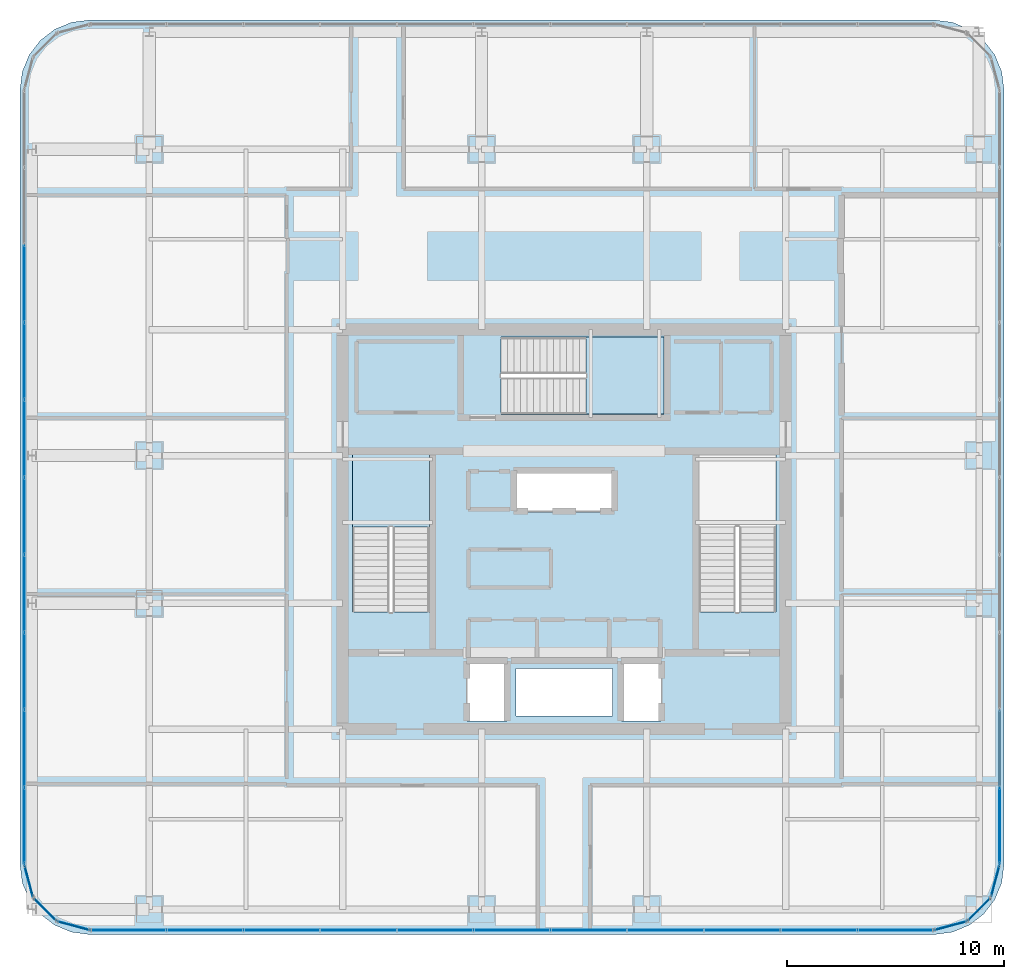
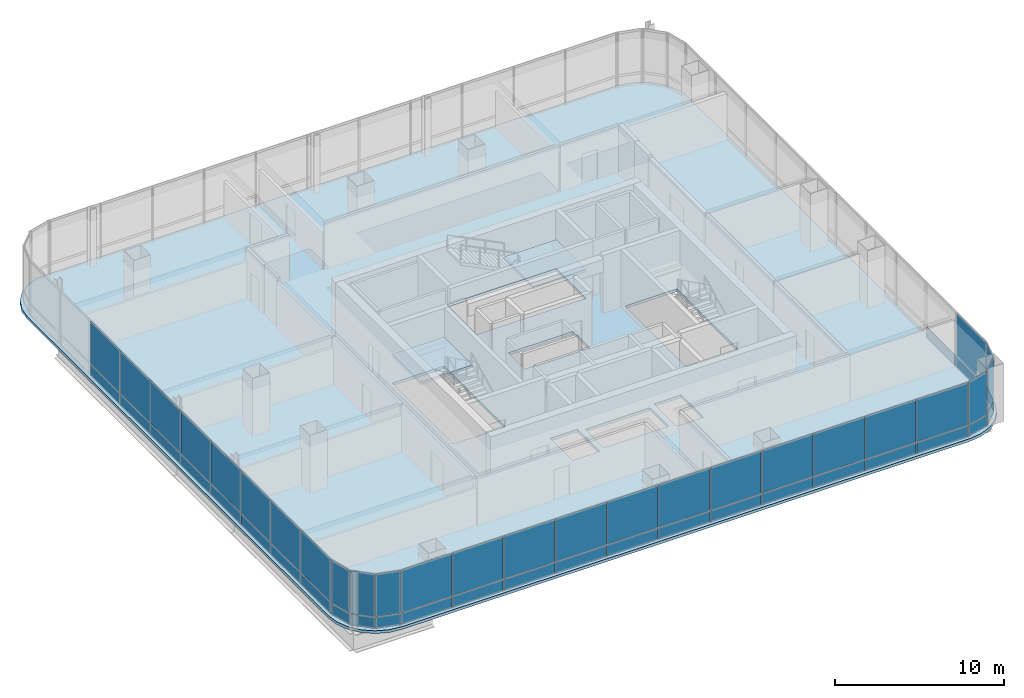
# One storey, part 32 of 41: 53 plates, 3 slabs, 11 elements without a shape of their own.
"""IFC4 building model written with IfcOpenShell, lengths in metres."""

from ifc_helpers import new_model, si_unit, direction, frame, origin, origin_2d, place, context, subcontext, project, spatial, polyline, rectangle, outline, extrude, material, layer, layer_set, type_object, element, aggregate, save


model = new_model("IFC4")

# Units and contexts
model_context = context("Model", 3, precision=1e-05, world=origin(), true_north=direction((0.0, 1.0)))
body_context = subcontext(model_context, "Body", "Model", "MODEL_VIEW")
ifc_project = project(units=[si_unit("LENGTHUNIT", "METRE"), si_unit("AREAUNIT", "SQUARE_METRE"), si_unit("VOLUMEUNIT", "CUBIC_METRE"), si_unit("PLANEANGLEUNIT", "RADIAN"), si_unit("MASSUNIT", "GRAM", prefix="KILO")], contexts=[model_context])

# Site, building, storey
site_placement = place(None, origin())
site = spatial("IfcSite", under=ifc_project, at=site_placement, CompositionType="ELEMENT")
building_placement = place(site_placement, origin())
building = spatial("IfcBuilding", under=site, at=building_placement, Name="Punatoya Terracotta Tower", CompositionType="ELEMENT")
storey_placement = place(building_placement, frame((0.0, 0.0, 292.199951171875)))
storey = spatial("IfcBuildingStorey", under=building, at=storey_placement, Name="L69", CompositionType="ELEMENT", Elevation=292.199951171875)

# Curtain wall, plates
ifc_material_1 = material(Name="Aluminium 6063-T6 + Double Low-E Glass", Category="aluminium")
curtain_wall_type = type_object("IfcCurtainWallType", Name="CW-M3", PredefinedType="NOTDEFINED", material=ifc_material_1)
curtain_wall_1_placement = place(storey_placement, origin())
curtain_wall_1 = element("IfcCurtainWall", 1, at=curtain_wall_1_placement, inside=storey, type_object=curtain_wall_type, Name="L69 Curtain Wall CW-L69-S01-1", PredefinedType="NOTDEFINED")
ifc_material_2 = material(Name="Double Low-E Acoustic Vision Glass", Category="glass")
ifc_layer_1 = layer(ifc_material_2, 0.031982421875)
ifc_layer_set_1 = layer_set([ifc_layer_1], Name="Double Low-E Acoustic Vision Glass")
plate_type_1 = type_object("IfcPlateType", Name="PLT-GLZ-32", PredefinedType="CURTAIN_PANEL", material=ifc_layer_set_1)
plate_1_placement = place(storey_placement, frame((-20.06982421875, -18.449951171875, 0.89013671875), z_axis=(0.0, 0.0, 1.0), x_axis=(1.0, 0.0, 0.0)))
plate_1 = element("IfcPlate", 2, at=plate_1_placement, type_object=plate_type_1, Name="CW-L69-S01-1 Vision Glass Panel 1", PredefinedType="CURTAIN_PANEL", context=body_context, shape_type="SweptSolid", body=[
    extrude(rectangle(XDim=3.448974609375, YDim=0.031982421875, at=origin_2d()), origin(), (0.0, 0.0, 1.0), 3.070068359375),
])
plate_2_placement = place(storey_placement, frame((-16.535888671875, -18.449951171875, 0.89013671875), z_axis=(0.0, 0.0, 1.0), x_axis=(1.0, 0.0, 0.0)))
plate_2 = element("IfcPlate", 3, at=plate_2_placement, type_object=plate_type_1, Name="CW-L69-S01-1 Vision Glass Panel 2", PredefinedType="CURTAIN_PANEL", context=body_context, shape_type="SweptSolid", body=[
    extrude(rectangle(XDim=3.448974609375, YDim=0.031982421875, at=origin_2d()), origin(), (0.0, 0.0, 1.0), 3.070068359375),
])
plate_3_placement = place(storey_placement, frame((-13.001953125, -18.449951171875, 0.89013671875), z_axis=(0.0, 0.0, 1.0), x_axis=(1.0, 0.0, 0.0)))
plate_3 = element("IfcPlate", 4, at=plate_3_placement, type_object=plate_type_1, Name="CW-L69-S01-1 Vision Glass Panel 3", PredefinedType="CURTAIN_PANEL", context=body_context, shape_type="SweptSolid", body=[
    extrude(rectangle(XDim=3.448974609375, YDim=0.031982421875, at=origin_2d()), origin(), (0.0, 0.0, 1.0), 3.070068359375),
])
plate_4_placement = place(storey_placement, frame((-9.468017578125, -18.449951171875, 0.89013671875), z_axis=(0.0, 0.0, 1.0), x_axis=(1.0, 0.0, 0.0)))
plate_4 = element("IfcPlate", 5, at=plate_4_placement, type_object=plate_type_1, Name="CW-L69-S01-1 Vision Glass Panel 4", PredefinedType="CURTAIN_PANEL", context=body_context, shape_type="SweptSolid", body=[
    extrude(rectangle(XDim=3.448974609375, YDim=0.031982421875, at=origin_2d()), origin(), (0.0, 0.0, 1.0), 3.070068359375),
])
plate_5_placement = place(storey_placement, frame((-5.93408203125, -18.449951171875, 0.89013671875), z_axis=(0.0, 0.0, 1.0), x_axis=(1.0, 0.0, 0.0)))
plate_5 = element("IfcPlate", 6, at=plate_5_placement, type_object=plate_type_1, Name="CW-L69-S01-1 Vision Glass Panel 5", PredefinedType="CURTAIN_PANEL", context=body_context, shape_type="SweptSolid", body=[
    extrude(rectangle(XDim=3.448974609375, YDim=0.031982421875, at=origin_2d()), origin(), (0.0, 0.0, 1.0), 3.070068359375),
])
plate_6_placement = place(storey_placement, frame((-2.39990234375, -18.449951171875, 0.89013671875), z_axis=(0.0, 0.0, 1.0), x_axis=(1.0, 0.0, 0.0)))
plate_6 = element("IfcPlate", 7, at=plate_6_placement, type_object=plate_type_1, Name="CW-L69-S01-1 Vision Glass Panel 6", PredefinedType="CURTAIN_PANEL", context=body_context, shape_type="SweptSolid", body=[
    extrude(rectangle(XDim=3.448974609375, YDim=0.031982421875, at=origin_2d()), origin(), (0.0, 0.0, 1.0), 3.070068359375),
])
plate_7_placement = place(storey_placement, frame((1.134033203125, -18.449951171875, 0.89013671875), z_axis=(0.0, 0.0, 1.0), x_axis=(1.0, 0.0, 0.0)))
plate_7 = element("IfcPlate", 8, at=plate_7_placement, type_object=plate_type_1, Name="CW-L69-S01-1 Vision Glass Panel 7", PredefinedType="CURTAIN_PANEL", context=body_context, shape_type="SweptSolid", body=[
    extrude(rectangle(XDim=3.448974609375, YDim=0.031982421875, at=origin_2d()), origin(), (0.0, 0.0, 1.0), 3.070068359375),
])
plate_8_placement = place(storey_placement, frame((4.66796875, -18.449951171875, 0.89013671875), z_axis=(0.0, 0.0, 1.0), x_axis=(1.0, 0.0, 0.0)))
plate_8 = element("IfcPlate", 9, at=plate_8_placement, type_object=plate_type_1, Name="CW-L69-S01-1 Vision Glass Panel 8", PredefinedType="CURTAIN_PANEL", context=body_context, shape_type="SweptSolid", body=[
    extrude(rectangle(XDim=3.448974609375, YDim=0.031982421875, at=origin_2d()), origin(), (0.0, 0.0, 1.0), 3.070068359375),
])
plate_9_placement = place(storey_placement, frame((8.201904296875, -18.449951171875, 0.89013671875), z_axis=(0.0, 0.0, 1.0), x_axis=(1.0, 0.0, 0.0)))
plate_9 = element("IfcPlate", 10, at=plate_9_placement, type_object=plate_type_1, Name="CW-L69-S01-1 Vision Glass Panel 9", PredefinedType="CURTAIN_PANEL", context=body_context, shape_type="SweptSolid", body=[
    extrude(rectangle(XDim=3.448974609375, YDim=0.031982421875, at=origin_2d()), origin(), (0.0, 0.0, 1.0), 3.070068359375),
])
plate_10_placement = place(storey_placement, frame((11.73583984375, -18.449951171875, 0.89013671875), z_axis=(0.0, 0.0, 1.0), x_axis=(1.0, 0.0, 0.0)))
plate_10 = element("IfcPlate", 11, at=plate_10_placement, type_object=plate_type_1, Name="CW-L69-S01-1 Vision Glass Panel 10", PredefinedType="CURTAIN_PANEL", context=body_context, shape_type="SweptSolid", body=[
    extrude(rectangle(XDim=3.448974609375, YDim=0.031982421875, at=origin_2d()), origin(), (0.0, 0.0, 1.0), 3.070068359375),
])
plate_11_placement = place(storey_placement, frame((15.27001953125, -18.449951171875, 0.89013671875), z_axis=(0.0, 0.0, 1.0), x_axis=(1.0, 0.0, 0.0)))
plate_11 = element("IfcPlate", 12, at=plate_11_placement, type_object=plate_type_1, Name="CW-L69-S01-1 Vision Glass Panel 11", PredefinedType="CURTAIN_PANEL", context=body_context, shape_type="SweptSolid", body=[
    extrude(rectangle(XDim=3.448974609375, YDim=0.031982421875, at=origin_2d()), origin(), (0.0, 0.0, 1.0), 3.070068359375),
])

# Curtain wall, plate
curtain_wall_2_placement = place(storey_placement, origin())
curtain_wall_2 = element("IfcCurtainWall", 13, at=curtain_wall_2_placement, inside=storey, type_object=curtain_wall_type, Name="L69 Curtain Wall CW-L69-CRN02", PredefinedType="NOTDEFINED")
plate_12_placement = place(storey_placement, frame((17.79296875, -18.248291015625, 0.89013671875), z_axis=(0.0, 0.0, 1.0), x_axis=(0.966213877436, 0.257741620719, 0.0)))
plate_12 = element("IfcPlate", 14, at=plate_12_placement, type_object=plate_type_1, Name="CW-L69-CRN02 Vision Glass Panel 1", PredefinedType="CURTAIN_PANEL", context=body_context, shape_type="SweptSolid", body=[
    extrude(rectangle(XDim=1.47998046875, YDim=0.031982421875, at=origin_2d()), origin(), (0.0, 0.0, 1.0), 3.070068359375),
])

curtain_wall_3_placement = place(storey_placement, origin())
curtain_wall_3 = element("IfcCurtainWall", 15, at=curtain_wall_3_placement, inside=storey, type_object=curtain_wall_type, Name="L69 Curtain Wall CW-L69-CRN03", PredefinedType="NOTDEFINED")
plate_13_placement = place(storey_placement, frame((19.097900390625, -17.497802734375, 0.89013671875), z_axis=(0.0, 0.0, 1.0), x_axis=(0.707106781187, 0.707106781187, 0.0)))
plate_13 = element("IfcPlate", 16, at=plate_13_placement, type_object=plate_type_1, Name="CW-L69-CRN03 Vision Glass Panel 1", PredefinedType="CURTAIN_PANEL", context=body_context, shape_type="SweptSolid", body=[
    extrude(rectangle(XDim=1.467041015625, YDim=0.031982421875, at=origin_2d()), origin(), (0.0, 0.0, 1.0), 3.070068359375),
])

curtain_wall_4_placement = place(storey_placement, origin())
curtain_wall_4 = element("IfcCurtainWall", 17, at=curtain_wall_4_placement, inside=storey, type_object=curtain_wall_type, Name="L69 Curtain Wall CW-L69-CRN04", PredefinedType="NOTDEFINED")
plate_14_placement = place(storey_placement, frame((19.848388671875, -16.193115234375, 0.89013671875), z_axis=(0.0, 0.0, 1.0), x_axis=(0.257741620719, 0.966213877436, 0.0)))
plate_14 = element("IfcPlate", 18, at=plate_14_placement, type_object=plate_type_1, Name="CW-L69-CRN04 Vision Glass Panel 1", PredefinedType="CURTAIN_PANEL", context=body_context, shape_type="SweptSolid", body=[
    extrude(rectangle(XDim=1.47998046875, YDim=0.031982421875, at=origin_2d()), origin(), (0.0, 0.0, 1.0), 3.070068359375),
])

curtain_wall_5_placement = place(storey_placement, origin())
curtain_wall_5 = element("IfcCurtainWall", 19, at=curtain_wall_5_placement, inside=storey, type_object=curtain_wall_type, Name="L69 Curtain Wall CW-L69-E05-1", PredefinedType="NOTDEFINED")
plate_15_placement = place(storey_placement, frame((20.050048828125, -13.6533203125, 0.89013671875), z_axis=(0.0, 0.0, 1.0), x_axis=(0.0, 1.0, 0.0)))
plate_15 = element("IfcPlate", 20, at=plate_15_placement, type_object=plate_type_1, Name="CW-L69-E05-1 Vision Glass Panel 1", PredefinedType="CURTAIN_PANEL", context=body_context, shape_type="SweptSolid", body=[
    extrude(rectangle(XDim=3.482421875, YDim=0.031982421875, at=origin_2d()), origin(), (0.0, 0.0, 1.0), 3.070068359375),
])

# Curtain wall, plates
curtain_wall_6_placement = place(storey_placement, origin())
curtain_wall_6 = element("IfcCurtainWall", 21, at=curtain_wall_6_placement, inside=storey, type_object=curtain_wall_type, Name="L69 Curtain Wall CW-L69-W13-1", PredefinedType="NOTDEFINED")
plate_16_placement = place(storey_placement, frame((-24.85009765625, 11.318359375, 0.89013671875), z_axis=(0.0, 0.0, 1.0), x_axis=(0.0, -1.0, 0.0)))
plate_16 = element("IfcPlate", 22, at=plate_16_placement, type_object=plate_type_1, Name="CW-L69-W13-1 Vision Glass Panel 3", PredefinedType="CURTAIN_PANEL", context=body_context, shape_type="SweptSolid", body=[
    extrude(rectangle(XDim=3.482421875, YDim=0.031982421875, at=origin_2d()), origin(), (0.0, 0.0, 1.0), 3.070068359375),
])
plate_17_placement = place(storey_placement, frame((-24.85009765625, 7.751220703125, 0.89013671875), z_axis=(0.0, 0.0, 1.0), x_axis=(0.0, -1.0, 0.0)))
plate_17 = element("IfcPlate", 23, at=plate_17_placement, type_object=plate_type_1, Name="CW-L69-W13-1 Vision Glass Panel 4", PredefinedType="CURTAIN_PANEL", context=body_context, shape_type="SweptSolid", body=[
    extrude(rectangle(XDim=3.482421875, YDim=0.031982421875, at=origin_2d()), origin(), (0.0, 0.0, 1.0), 3.070068359375),
])
plate_18_placement = place(storey_placement, frame((-24.85009765625, 4.18359375, 0.89013671875), z_axis=(0.0, 0.0, 1.0), x_axis=(0.0, -1.0, 0.0)))
plate_18 = element("IfcPlate", 24, at=plate_18_placement, type_object=plate_type_1, Name="CW-L69-W13-1 Vision Glass Panel 5", PredefinedType="CURTAIN_PANEL", context=body_context, shape_type="SweptSolid", body=[
    extrude(rectangle(XDim=3.482421875, YDim=0.031982421875, at=origin_2d()), origin(), (0.0, 0.0, 1.0), 3.070068359375),
])
plate_19_placement = place(storey_placement, frame((-24.85009765625, 0.6162109375, 0.89013671875), z_axis=(0.0, 0.0, 1.0), x_axis=(0.0, -1.0, 0.0)))
plate_19 = element("IfcPlate", 25, at=plate_19_placement, type_object=plate_type_1, Name="CW-L69-W13-1 Vision Glass Panel 6", PredefinedType="CURTAIN_PANEL", context=body_context, shape_type="SweptSolid", body=[
    extrude(rectangle(XDim=3.482421875, YDim=0.031982421875, at=origin_2d()), origin(), (0.0, 0.0, 1.0), 3.070068359375),
])
plate_20_placement = place(storey_placement, frame((-24.85009765625, -2.951171875, 0.89013671875), z_axis=(0.0, 0.0, 1.0), x_axis=(0.0, -1.0, 0.0)))
plate_20 = element("IfcPlate", 26, at=plate_20_placement, type_object=plate_type_1, Name="CW-L69-W13-1 Vision Glass Panel 7", PredefinedType="CURTAIN_PANEL", context=body_context, shape_type="SweptSolid", body=[
    extrude(rectangle(XDim=3.482421875, YDim=0.031982421875, at=origin_2d()), origin(), (0.0, 0.0, 1.0), 3.070068359375),
])
plate_21_placement = place(storey_placement, frame((-24.85009765625, -6.518310546875, 0.89013671875), z_axis=(0.0, 0.0, 1.0), x_axis=(0.0, -1.0, 0.0)))
plate_21 = element("IfcPlate", 27, at=plate_21_placement, type_object=plate_type_1, Name="CW-L69-W13-1 Vision Glass Panel 8", PredefinedType="CURTAIN_PANEL", context=body_context, shape_type="SweptSolid", body=[
    extrude(rectangle(XDim=3.482421875, YDim=0.031982421875, at=origin_2d()), origin(), (0.0, 0.0, 1.0), 3.070068359375),
])
plate_22_placement = place(storey_placement, frame((-24.85009765625, -10.085693359375, 0.89013671875), z_axis=(0.0, 0.0, 1.0), x_axis=(0.0, -1.0, 0.0)))
plate_22 = element("IfcPlate", 28, at=plate_22_placement, type_object=plate_type_1, Name="CW-L69-W13-1 Vision Glass Panel 9", PredefinedType="CURTAIN_PANEL", context=body_context, shape_type="SweptSolid", body=[
    extrude(rectangle(XDim=3.482421875, YDim=0.031982421875, at=origin_2d()), origin(), (0.0, 0.0, 1.0), 3.070068359375),
])
plate_23_placement = place(storey_placement, frame((-24.85009765625, -13.6533203125, 0.89013671875), z_axis=(0.0, 0.0, 1.0), x_axis=(0.0, -1.0, 0.0)))
plate_23 = element("IfcPlate", 29, at=plate_23_placement, type_object=plate_type_1, Name="CW-L69-W13-1 Vision Glass Panel 10", PredefinedType="CURTAIN_PANEL", context=body_context, shape_type="SweptSolid", body=[
    extrude(rectangle(XDim=3.482421875, YDim=0.031982421875, at=origin_2d()), origin(), (0.0, 0.0, 1.0), 3.070068359375),
])

# Curtain wall, plate
curtain_wall_7_placement = place(storey_placement, origin())
curtain_wall_7 = element("IfcCurtainWall", 30, at=curtain_wall_7_placement, inside=storey, type_object=curtain_wall_type, Name="L69 Curtain Wall CW-L69-CRN14", PredefinedType="NOTDEFINED")
plate_24_placement = place(storey_placement, frame((-24.648193359375, -16.193115234375, 0.89013671875), z_axis=(0.0, 0.0, 1.0), x_axis=(0.257741620719, -0.966213877436, 0.0)))
plate_24 = element("IfcPlate", 31, at=plate_24_placement, type_object=plate_type_1, Name="CW-L69-CRN14 Vision Glass Panel 1", PredefinedType="CURTAIN_PANEL", context=body_context, shape_type="SweptSolid", body=[
    extrude(rectangle(XDim=1.47998046875, YDim=0.031982421875, at=origin_2d()), origin(), (0.0, 0.0, 1.0), 3.070068359375),
])

curtain_wall_8_placement = place(storey_placement, origin())
curtain_wall_8 = element("IfcCurtainWall", 32, at=curtain_wall_8_placement, inside=storey, type_object=curtain_wall_type, Name="L69 Curtain Wall CW-L69-CRN15", PredefinedType="NOTDEFINED")
plate_25_placement = place(storey_placement, frame((-23.89794921875, -17.497802734375, 0.89013671875), z_axis=(0.0, 0.0, 1.0), x_axis=(0.707106781187, -0.707106781187, 0.0)))
plate_25 = element("IfcPlate", 33, at=plate_25_placement, type_object=plate_type_1, Name="CW-L69-CRN15 Vision Glass Panel 1", PredefinedType="CURTAIN_PANEL", context=body_context, shape_type="SweptSolid", body=[
    extrude(rectangle(XDim=1.467041015625, YDim=0.031982421875, at=origin_2d()), origin(), (0.0, 0.0, 1.0), 3.070068359375),
])

curtain_wall_9_placement = place(storey_placement, origin())
curtain_wall_9 = element("IfcCurtainWall", 34, at=curtain_wall_9_placement, inside=storey, type_object=curtain_wall_type, Name="L69 Curtain Wall CW-L69-CRN16", PredefinedType="NOTDEFINED")
plate_26_placement = place(storey_placement, frame((-22.593017578125, -18.248291015625, 0.89013671875), z_axis=(0.0, 0.0, 1.0), x_axis=(0.966213877436, -0.257741620719, 0.0)))
plate_26 = element("IfcPlate", 35, at=plate_26_placement, type_object=plate_type_1, Name="CW-L69-CRN16 Vision Glass Panel 1", PredefinedType="CURTAIN_PANEL", context=body_context, shape_type="SweptSolid", body=[
    extrude(rectangle(XDim=1.47998046875, YDim=0.031982421875, at=origin_2d()), origin(), (0.0, 0.0, 1.0), 3.070068359375),
])

# Plate
ifc_material_3 = material(Name="Insulated Terracotta-Backed Spandrel Panel", Category="masonry")
ifc_layer_2 = layer(ifc_material_3, 0.044921875)
ifc_layer_set_2 = layer_set([ifc_layer_2], Name="Insulated Terracotta-Backed Spandrel Panel")
plate_type_2 = type_object("IfcPlateType", Name="PLT-SPN-45", PredefinedType="CURTAIN_PANEL", material=ifc_layer_set_2)
plate_27_placement = place(storey_placement, frame((-20.06982421875, -18.449951171875, 0.0400390625), z_axis=(0.0, 0.0, 1.0), x_axis=(1.0, 0.0, 0.0)))
plate_27 = element("IfcPlate", 36, at=plate_27_placement, type_object=plate_type_2, Name="CW-L69-S01-1 Terracotta Spandrel Panel 1", PredefinedType="CURTAIN_PANEL", context=body_context, shape_type="SweptSolid", body=[
    extrude(rectangle(XDim=3.448974609375, YDim=0.044921875, at=origin_2d()), origin(), (0.0, 0.0, 1.0), 0.77490234375),
])

plate_28_placement = place(storey_placement, frame((-16.535888671875, -18.449951171875, 0.0400390625), z_axis=(0.0, 0.0, 1.0), x_axis=(1.0, 0.0, 0.0)))
plate_28 = element("IfcPlate", 37, at=plate_28_placement, type_object=plate_type_2, Name="CW-L69-S01-1 Terracotta Spandrel Panel 2", PredefinedType="CURTAIN_PANEL", context=body_context, shape_type="SweptSolid", body=[
    extrude(rectangle(XDim=3.448974609375, YDim=0.044921875, at=origin_2d()), origin(), (0.0, 0.0, 1.0), 0.77490234375),
])

plate_29_placement = place(storey_placement, frame((-13.001953125, -18.449951171875, 0.0400390625), z_axis=(0.0, 0.0, 1.0), x_axis=(1.0, 0.0, 0.0)))
plate_29 = element("IfcPlate", 38, at=plate_29_placement, type_object=plate_type_2, Name="CW-L69-S01-1 Terracotta Spandrel Panel 3", PredefinedType="CURTAIN_PANEL", context=body_context, shape_type="SweptSolid", body=[
    extrude(rectangle(XDim=3.448974609375, YDim=0.044921875, at=origin_2d()), origin(), (0.0, 0.0, 1.0), 0.77490234375),
])

plate_30_placement = place(storey_placement, frame((-9.468017578125, -18.449951171875, 0.0400390625), z_axis=(0.0, 0.0, 1.0), x_axis=(1.0, 0.0, 0.0)))
plate_30 = element("IfcPlate", 39, at=plate_30_placement, type_object=plate_type_2, Name="CW-L69-S01-1 Terracotta Spandrel Panel 4", PredefinedType="CURTAIN_PANEL", context=body_context, shape_type="SweptSolid", body=[
    extrude(rectangle(XDim=3.448974609375, YDim=0.044921875, at=origin_2d()), origin(), (0.0, 0.0, 1.0), 0.77490234375),
])

plate_31_placement = place(storey_placement, frame((-5.93408203125, -18.449951171875, 0.0400390625), z_axis=(0.0, 0.0, 1.0), x_axis=(1.0, 0.0, 0.0)))
plate_31 = element("IfcPlate", 40, at=plate_31_placement, type_object=plate_type_2, Name="CW-L69-S01-1 Terracotta Spandrel Panel 5", PredefinedType="CURTAIN_PANEL", context=body_context, shape_type="SweptSolid", body=[
    extrude(rectangle(XDim=3.448974609375, YDim=0.044921875, at=origin_2d()), origin(), (0.0, 0.0, 1.0), 0.77490234375),
])

plate_32_placement = place(storey_placement, frame((-2.39990234375, -18.449951171875, 0.0400390625), z_axis=(0.0, 0.0, 1.0), x_axis=(1.0, 0.0, 0.0)))
plate_32 = element("IfcPlate", 41, at=plate_32_placement, type_object=plate_type_2, Name="CW-L69-S01-1 Terracotta Spandrel Panel 6", PredefinedType="CURTAIN_PANEL", context=body_context, shape_type="SweptSolid", body=[
    extrude(rectangle(XDim=3.448974609375, YDim=0.044921875, at=origin_2d()), origin(), (0.0, 0.0, 1.0), 0.77490234375),
])

plate_33_placement = place(storey_placement, frame((1.134033203125, -18.449951171875, 0.0400390625), z_axis=(0.0, 0.0, 1.0), x_axis=(1.0, 0.0, 0.0)))
plate_33 = element("IfcPlate", 42, at=plate_33_placement, type_object=plate_type_2, Name="CW-L69-S01-1 Terracotta Spandrel Panel 7", PredefinedType="CURTAIN_PANEL", context=body_context, shape_type="SweptSolid", body=[
    extrude(rectangle(XDim=3.448974609375, YDim=0.044921875, at=origin_2d()), origin(), (0.0, 0.0, 1.0), 0.77490234375),
])

plate_34_placement = place(storey_placement, frame((4.66796875, -18.449951171875, 0.0400390625), z_axis=(0.0, 0.0, 1.0), x_axis=(1.0, 0.0, 0.0)))
plate_34 = element("IfcPlate", 43, at=plate_34_placement, type_object=plate_type_2, Name="CW-L69-S01-1 Terracotta Spandrel Panel 8", PredefinedType="CURTAIN_PANEL", context=body_context, shape_type="SweptSolid", body=[
    extrude(rectangle(XDim=3.448974609375, YDim=0.044921875, at=origin_2d()), origin(), (0.0, 0.0, 1.0), 0.77490234375),
])

plate_35_placement = place(storey_placement, frame((8.201904296875, -18.449951171875, 0.0400390625), z_axis=(0.0, 0.0, 1.0), x_axis=(1.0, 0.0, 0.0)))
plate_35 = element("IfcPlate", 44, at=plate_35_placement, type_object=plate_type_2, Name="CW-L69-S01-1 Terracotta Spandrel Panel 9", PredefinedType="CURTAIN_PANEL", context=body_context, shape_type="SweptSolid", body=[
    extrude(rectangle(XDim=3.448974609375, YDim=0.044921875, at=origin_2d()), origin(), (0.0, 0.0, 1.0), 0.77490234375),
])

plate_36_placement = place(storey_placement, frame((11.73583984375, -18.449951171875, 0.0400390625), z_axis=(0.0, 0.0, 1.0), x_axis=(1.0, 0.0, 0.0)))
plate_36 = element("IfcPlate", 45, at=plate_36_placement, type_object=plate_type_2, Name="CW-L69-S01-1 Terracotta Spandrel Panel 10", PredefinedType="CURTAIN_PANEL", context=body_context, shape_type="SweptSolid", body=[
    extrude(rectangle(XDim=3.448974609375, YDim=0.044921875, at=origin_2d()), origin(), (0.0, 0.0, 1.0), 0.77490234375),
])

plate_37_placement = place(storey_placement, frame((15.27001953125, -18.449951171875, 0.0400390625), z_axis=(0.0, 0.0, 1.0), x_axis=(1.0, 0.0, 0.0)))
plate_37 = element("IfcPlate", 46, at=plate_37_placement, type_object=plate_type_2, Name="CW-L69-S01-1 Terracotta Spandrel Panel 11", PredefinedType="CURTAIN_PANEL", context=body_context, shape_type="SweptSolid", body=[
    extrude(rectangle(XDim=3.448974609375, YDim=0.044921875, at=origin_2d()), origin(), (0.0, 0.0, 1.0), 0.77490234375),
])

aggregate(curtain_wall_1, [plate_27, plate_1, plate_28, plate_2, plate_29, plate_3, plate_30, plate_4, plate_31, plate_5, plate_32, plate_6, plate_33, plate_7, plate_34, plate_8, plate_35, plate_9, plate_36, plate_10, plate_37, plate_11])

plate_38_placement = place(storey_placement, frame((17.79296875, -18.248291015625, 0.0400390625), z_axis=(0.0, 0.0, 1.0), x_axis=(0.966213877436, 0.257741620719, 0.0)))
plate_38 = element("IfcPlate", 47, at=plate_38_placement, type_object=plate_type_2, Name="CW-L69-CRN02 Terracotta Spandrel Panel 1", PredefinedType="CURTAIN_PANEL", context=body_context, shape_type="SweptSolid", body=[
    extrude(rectangle(XDim=1.47998046875, YDim=0.044921875, at=origin_2d()), origin(), (0.0, 0.0, 1.0), 0.77490234375),
])

aggregate(curtain_wall_2, [plate_38, plate_12])

plate_39_placement = place(storey_placement, frame((19.097900390625, -17.497802734375, 0.0400390625), z_axis=(0.0, 0.0, 1.0), x_axis=(0.707106781187, 0.707106781187, 0.0)))
plate_39 = element("IfcPlate", 48, at=plate_39_placement, type_object=plate_type_2, Name="CW-L69-CRN03 Terracotta Spandrel Panel 1", PredefinedType="CURTAIN_PANEL", context=body_context, shape_type="SweptSolid", body=[
    extrude(rectangle(XDim=1.467041015625, YDim=0.044921875, at=origin_2d()), origin(), (0.0, 0.0, 1.0), 0.77490234375),
])

aggregate(curtain_wall_3, [plate_39, plate_13])

plate_40_placement = place(storey_placement, frame((19.848388671875, -16.193115234375, 0.0400390625), z_axis=(0.0, 0.0, 1.0), x_axis=(0.257741620719, 0.966213877436, 0.0)))
plate_40 = element("IfcPlate", 49, at=plate_40_placement, type_object=plate_type_2, Name="CW-L69-CRN04 Terracotta Spandrel Panel 1", PredefinedType="CURTAIN_PANEL", context=body_context, shape_type="SweptSolid", body=[
    extrude(rectangle(XDim=1.47998046875, YDim=0.044921875, at=origin_2d()), origin(), (0.0, 0.0, 1.0), 0.77490234375),
])

aggregate(curtain_wall_4, [plate_40, plate_14])

plate_41_placement = place(storey_placement, frame((20.050048828125, -13.6533203125, 0.0400390625), z_axis=(0.0, 0.0, 1.0), x_axis=(0.0, 1.0, 0.0)))
plate_41 = element("IfcPlate", 50, at=plate_41_placement, type_object=plate_type_2, Name="CW-L69-E05-1 Terracotta Spandrel Panel 1", PredefinedType="CURTAIN_PANEL", context=body_context, shape_type="SweptSolid", body=[
    extrude(rectangle(XDim=3.482421875, YDim=0.044921875, at=origin_2d()), origin(), (0.0, 0.0, 1.0), 0.77490234375),
])

plate_42_placement = place(storey_placement, frame((20.050048828125, -10.085693359375, 0.0400390625), z_axis=(0.0, 0.0, 1.0), x_axis=(0.0, 1.0, 0.0)))
plate_42 = element("IfcPlate", 51, at=plate_42_placement, type_object=plate_type_2, Name="CW-L69-E05-1 Terracotta Spandrel Panel 2", PredefinedType="CURTAIN_PANEL", context=body_context, shape_type="SweptSolid", body=[
    extrude(rectangle(XDim=3.482421875, YDim=0.044921875, at=origin_2d()), origin(), (0.0, 0.0, 1.0), 0.77490234375),
])

aggregate(curtain_wall_5, [plate_41, plate_15, plate_42])

plate_43_placement = place(storey_placement, frame((-24.85009765625, 11.318359375, 0.0400390625), z_axis=(0.0, 0.0, 1.0), x_axis=(0.0, -1.0, 0.0)))
plate_43 = element("IfcPlate", 52, at=plate_43_placement, type_object=plate_type_2, Name="CW-L69-W13-1 Terracotta Spandrel Panel 3", PredefinedType="CURTAIN_PANEL", context=body_context, shape_type="SweptSolid", body=[
    extrude(rectangle(XDim=3.482421875, YDim=0.044921875, at=origin_2d()), origin(), (0.0, 0.0, 1.0), 0.77490234375),
])

plate_44_placement = place(storey_placement, frame((-24.85009765625, 7.751220703125, 0.0400390625), z_axis=(0.0, 0.0, 1.0), x_axis=(0.0, -1.0, 0.0)))
plate_44 = element("IfcPlate", 53, at=plate_44_placement, type_object=plate_type_2, Name="CW-L69-W13-1 Terracotta Spandrel Panel 4", PredefinedType="CURTAIN_PANEL", context=body_context, shape_type="SweptSolid", body=[
    extrude(rectangle(XDim=3.482421875, YDim=0.044921875, at=origin_2d()), origin(), (0.0, 0.0, 1.0), 0.77490234375),
])

plate_45_placement = place(storey_placement, frame((-24.85009765625, 4.18359375, 0.0400390625), z_axis=(0.0, 0.0, 1.0), x_axis=(0.0, -1.0, 0.0)))
plate_45 = element("IfcPlate", 54, at=plate_45_placement, type_object=plate_type_2, Name="CW-L69-W13-1 Terracotta Spandrel Panel 5", PredefinedType="CURTAIN_PANEL", context=body_context, shape_type="SweptSolid", body=[
    extrude(rectangle(XDim=3.482421875, YDim=0.044921875, at=origin_2d()), origin(), (0.0, 0.0, 1.0), 0.77490234375),
])

plate_46_placement = place(storey_placement, frame((-24.85009765625, 0.6162109375, 0.0400390625), z_axis=(0.0, 0.0, 1.0), x_axis=(0.0, -1.0, 0.0)))
plate_46 = element("IfcPlate", 55, at=plate_46_placement, type_object=plate_type_2, Name="CW-L69-W13-1 Terracotta Spandrel Panel 6", PredefinedType="CURTAIN_PANEL", context=body_context, shape_type="SweptSolid", body=[
    extrude(rectangle(XDim=3.482421875, YDim=0.044921875, at=origin_2d()), origin(), (0.0, 0.0, 1.0), 0.77490234375),
])

plate_47_placement = place(storey_placement, frame((-24.85009765625, -2.951171875, 0.0400390625), z_axis=(0.0, 0.0, 1.0), x_axis=(0.0, -1.0, 0.0)))
plate_47 = element("IfcPlate", 56, at=plate_47_placement, type_object=plate_type_2, Name="CW-L69-W13-1 Terracotta Spandrel Panel 7", PredefinedType="CURTAIN_PANEL", context=body_context, shape_type="SweptSolid", body=[
    extrude(rectangle(XDim=3.482421875, YDim=0.044921875, at=origin_2d()), origin(), (0.0, 0.0, 1.0), 0.77490234375),
])

plate_48_placement = place(storey_placement, frame((-24.85009765625, -6.518310546875, 0.0400390625), z_axis=(0.0, 0.0, 1.0), x_axis=(0.0, -1.0, 0.0)))
plate_48 = element("IfcPlate", 57, at=plate_48_placement, type_object=plate_type_2, Name="CW-L69-W13-1 Terracotta Spandrel Panel 8", PredefinedType="CURTAIN_PANEL", context=body_context, shape_type="SweptSolid", body=[
    extrude(rectangle(XDim=3.482421875, YDim=0.044921875, at=origin_2d()), origin(), (0.0, 0.0, 1.0), 0.77490234375),
])

plate_49_placement = place(storey_placement, frame((-24.85009765625, -10.085693359375, 0.0400390625), z_axis=(0.0, 0.0, 1.0), x_axis=(0.0, -1.0, 0.0)))
plate_49 = element("IfcPlate", 58, at=plate_49_placement, type_object=plate_type_2, Name="CW-L69-W13-1 Terracotta Spandrel Panel 9", PredefinedType="CURTAIN_PANEL", context=body_context, shape_type="SweptSolid", body=[
    extrude(rectangle(XDim=3.482421875, YDim=0.044921875, at=origin_2d()), origin(), (0.0, 0.0, 1.0), 0.77490234375),
])

plate_50_placement = place(storey_placement, frame((-24.85009765625, -13.6533203125, 0.0400390625), z_axis=(0.0, 0.0, 1.0), x_axis=(0.0, -1.0, 0.0)))
plate_50 = element("IfcPlate", 59, at=plate_50_placement, type_object=plate_type_2, Name="CW-L69-W13-1 Terracotta Spandrel Panel 10", PredefinedType="CURTAIN_PANEL", context=body_context, shape_type="SweptSolid", body=[
    extrude(rectangle(XDim=3.482421875, YDim=0.044921875, at=origin_2d()), origin(), (0.0, 0.0, 1.0), 0.77490234375),
])

aggregate(curtain_wall_6, [plate_43, plate_16, plate_44, plate_17, plate_45, plate_18, plate_46, plate_19, plate_47, plate_20, plate_48, plate_21, plate_49, plate_22, plate_50, plate_23])

plate_51_placement = place(storey_placement, frame((-24.648193359375, -16.193115234375, 0.0400390625), z_axis=(0.0, 0.0, 1.0), x_axis=(0.257741620719, -0.966213877436, 0.0)))
plate_51 = element("IfcPlate", 60, at=plate_51_placement, type_object=plate_type_2, Name="CW-L69-CRN14 Terracotta Spandrel Panel 1", PredefinedType="CURTAIN_PANEL", context=body_context, shape_type="SweptSolid", body=[
    extrude(rectangle(XDim=1.47998046875, YDim=0.044921875, at=origin_2d()), origin(), (0.0, 0.0, 1.0), 0.77490234375),
])

aggregate(curtain_wall_7, [plate_51, plate_24])

plate_52_placement = place(storey_placement, frame((-23.89794921875, -17.497802734375, 0.0400390625), z_axis=(0.0, 0.0, 1.0), x_axis=(0.707106781187, -0.707106781187, 0.0)))
plate_52 = element("IfcPlate", 61, at=plate_52_placement, type_object=plate_type_2, Name="CW-L69-CRN15 Terracotta Spandrel Panel 1", PredefinedType="CURTAIN_PANEL", context=body_context, shape_type="SweptSolid", body=[
    extrude(rectangle(XDim=1.467041015625, YDim=0.044921875, at=origin_2d()), origin(), (0.0, 0.0, 1.0), 0.77490234375),
])

aggregate(curtain_wall_8, [plate_52, plate_25])

plate_53_placement = place(storey_placement, frame((-22.593017578125, -18.248291015625, 0.0400390625), z_axis=(0.0, 0.0, 1.0), x_axis=(0.966213877436, -0.257741620719, 0.0)))
plate_53 = element("IfcPlate", 62, at=plate_53_placement, type_object=plate_type_2, Name="CW-L69-CRN16 Terracotta Spandrel Panel 1", PredefinedType="CURTAIN_PANEL", context=body_context, shape_type="SweptSolid", body=[
    extrude(rectangle(XDim=1.47998046875, YDim=0.044921875, at=origin_2d()), origin(), (0.0, 0.0, 1.0), 0.77490234375),
])

aggregate(curtain_wall_9, [plate_53, plate_26])

# Stair, slab
ifc_material_4 = material(Name="Concrete C40/50", Category="concrete")
stair_type_1 = type_object("IfcStairType", Name="STR-TER-1450", PredefinedType="HALF_TURN_STAIR", material=ifc_material_4)
stair_1_placement = place(storey_placement, origin())
stair_1 = element("IfcStair", 63, at=stair_1_placement, inside=storey, type_object=stair_type_1, Name="L69 Protected Core Exit Stair ST-3", PredefinedType="HALF_TURN_STAIR")
ifc_layer_3 = layer(ifc_material_4, 0.1650390625)
ifc_layer_set_3 = layer_set([ifc_layer_3], Name="Concrete C40/50")
slab_type_1 = type_object("IfcSlabType", Name="SLB-LND-165", PredefinedType="LANDING", material=ifc_layer_set_3)
slab_1_placement = place(storey_placement, frame((0.0, 0.0, 1.900146484375)))
slab_1 = element("IfcSlab", 64, at=slab_1_placement, type_object=slab_type_1, Name="ST-3 landing 1", PredefinedType="LANDING", context=body_context, shape_type="SweptSolid", body=[
    extrude(outline(polyline([(1.0, 5.300048828125), (4.60009765625, 5.300048828125), (4.60009765625, 8.85009765625), (1.0, 8.85009765625), (1.0, 5.300048828125)])), origin(), (0.0, 0.0, 1.0), 0.199951171875),
])
aggregate(stair_1, [slab_1])

stair_type_2 = type_object("IfcStairType", Name="STR-CORE-1550", PredefinedType="HALF_TURN_STAIR", material=ifc_material_4)
stair_2_placement = place(storey_placement, origin())
stair_2 = element("IfcStair", 65, at=stair_2_placement, inside=storey, type_object=stair_type_2, Name="L69 Protected Core Exit Stair ST-1", PredefinedType="HALF_TURN_STAIR")
ifc_layer_4 = layer(ifc_material_4, 0.179931640625)
ifc_layer_set_4 = layer_set([ifc_layer_4], Name="Concrete C40/50")
slab_type_2 = type_object("IfcSlabType", Name="SLB-LND-180", PredefinedType="LANDING", material=ifc_layer_set_4)
slab_2_placement = place(storey_placement, frame((0.0, 0.0, 1.900146484375)))
slab_2 = element("IfcSlab", 66, at=slab_2_placement, type_object=slab_type_2, Name="ST-1 landing 1", PredefinedType="LANDING", context=body_context, shape_type="SweptSolid", body=[
    extrude(outline(polyline([(-6.199951171875, 0.10009765625), (-6.199951171875, 3.449951171875), (-9.75, 3.449951171875), (-9.75, 0.10009765625), (-6.199951171875, 0.10009765625)])), origin(), (0.0, 0.0, 1.0), 0.199951171875),
])
aggregate(stair_2, [slab_2])

# Slab
ifc_layer_5 = layer(ifc_material_4, 0.199951171875)
ifc_layer_set_5 = layer_set([ifc_layer_5], Name="Concrete C40/50")
slab_type_3 = type_object("IfcSlabType", Name="SLB-OFF-200", PredefinedType="FLOOR", material=ifc_layer_set_5)
slab_3_placement = place(storey_placement, frame((0.0, 0.0, -0.199951171875)))
element("IfcSlab", 67, at=slab_3_placement, inside=storey, type_object=slab_type_3, Name="L69 Structural Floor Slab", PredefinedType="FLOOR", context=body_context, shape_type="SweptSolid", body=[
    extrude(outline(polyline([(-21.85009765625, -18.64990234375), (-22.67822265625, -18.541015625), (-23.449951171875, -18.22119140625), (-24.11279296875, -17.712646484375), (-24.621337890625, -17.050048828125), (-24.94091796875, -16.2783203125), (-25.050048828125, -15.449951171875), (-25.050048828125, 20.25), (-24.94091796875, 21.078125), (-24.621337890625, 21.85009765625), (-24.11279296875, 22.5126953125), (-23.449951171875, 23.021240234375), (-22.67822265625, 23.341064453125), (-21.85009765625, 23.449951171875), (17.050048828125, 23.449951171875), (17.878173828125, 23.341064453125), (18.64990234375, 23.021240234375), (19.312744140625, 22.5126953125), (19.8212890625, 21.85009765625), (20.14111328125, 21.078125), (20.25, 20.25), (20.25, -15.449951171875), (20.14111328125, -16.2783203125), (19.8212890625, -17.050048828125), (19.312744140625, -17.712646484375), (18.64990234375, -18.22119140625), (17.878173828125, -18.541015625), (17.050048828125, -18.64990234375), (-21.85009765625, -18.64990234375)]), holes=[polyline([(-2.6298828125, -6.179931640625), (-4.469970703125, -6.179931640625), (-4.469970703125, -8.820068359375), (-2.6298828125, -8.820068359375), (-2.6298828125, -6.179931640625)]), polyline([(-0.02001953125, -6.405029296875), (-2.219970703125, -6.405029296875), (-2.219970703125, -8.594970703125), (-0.02001953125, -8.594970703125), (0.02001953125, -8.594970703125), (2.219970703125, -8.594970703125), (2.219970703125, -6.405029296875), (0.02001953125, -6.405029296875), (-0.02001953125, -6.405029296875)]), polyline([(4.469970703125, -6.179931640625), (2.6298828125, -6.179931640625), (2.6298828125, -8.820068359375), (4.469970703125, -8.820068359375), (4.469970703125, -6.179931640625)]), polyline([(-9.75, 3.449951171875), (-9.75, -3.79931640625), (-6.199951171875, -3.79931640625), (-6.199951171875, 3.449951171875), (-9.75, 3.449951171875)]), polyline([(6.199951171875, 3.449951171875), (6.199951171875, -3.79931640625), (9.75, -3.79931640625), (9.75, 3.449951171875), (6.199951171875, 3.449951171875)]), polyline([(-2.219970703125, 2.719970703125), (-2.219970703125, 0.780029296875), (-0.02001953125, 0.780029296875), (0.02001953125, 0.780029296875), (2.219970703125, 0.780029296875), (2.219970703125, 2.719970703125), (0.02001953125, 2.719970703125), (-0.02001953125, 2.719970703125), (-2.219970703125, 2.719970703125)]), polyline([(4.60009765625, 5.300048828125), (4.60009765625, 8.85009765625), (-2.899169921875, 8.85009765625), (-2.899169921875, 5.300048828125), (4.60009765625, 5.300048828125)])]), origin(), (0.0, 0.0, 1.0), 0.199951171875),
])

save(model, "model.ifc")
